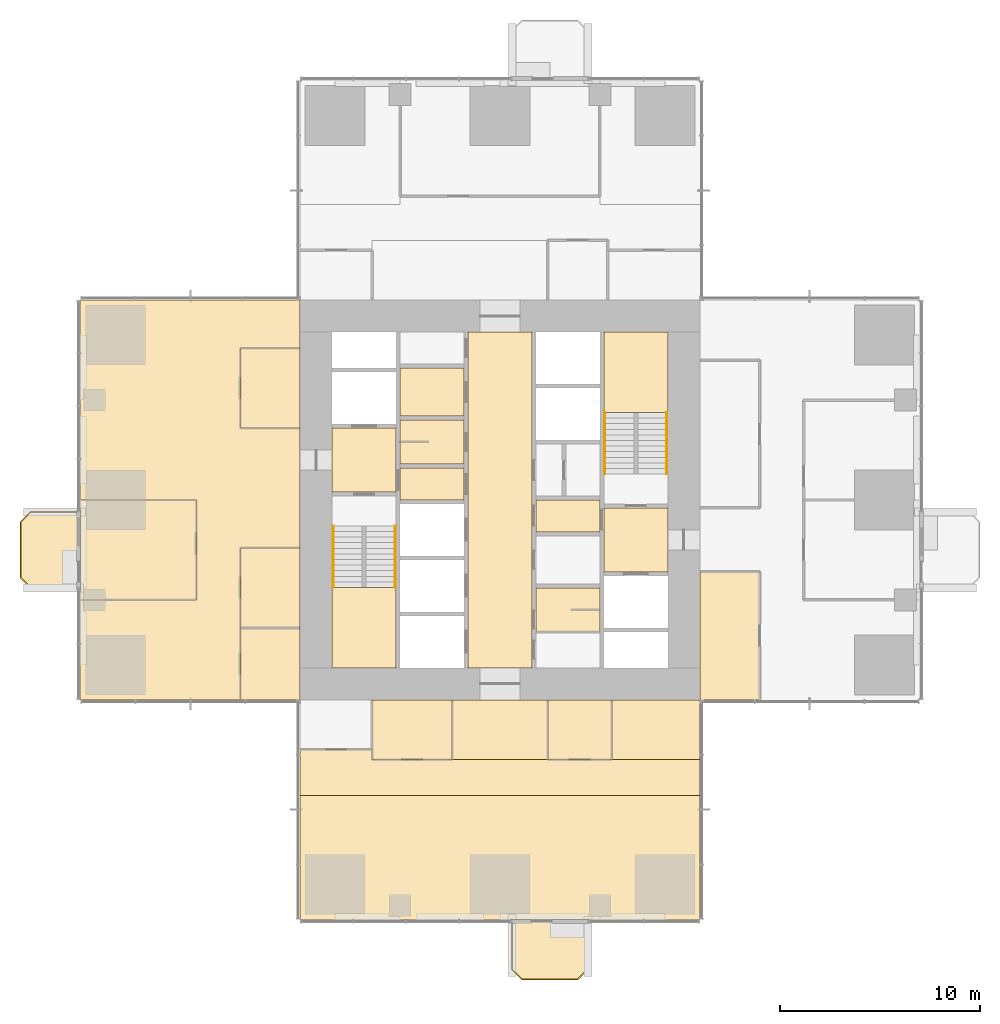
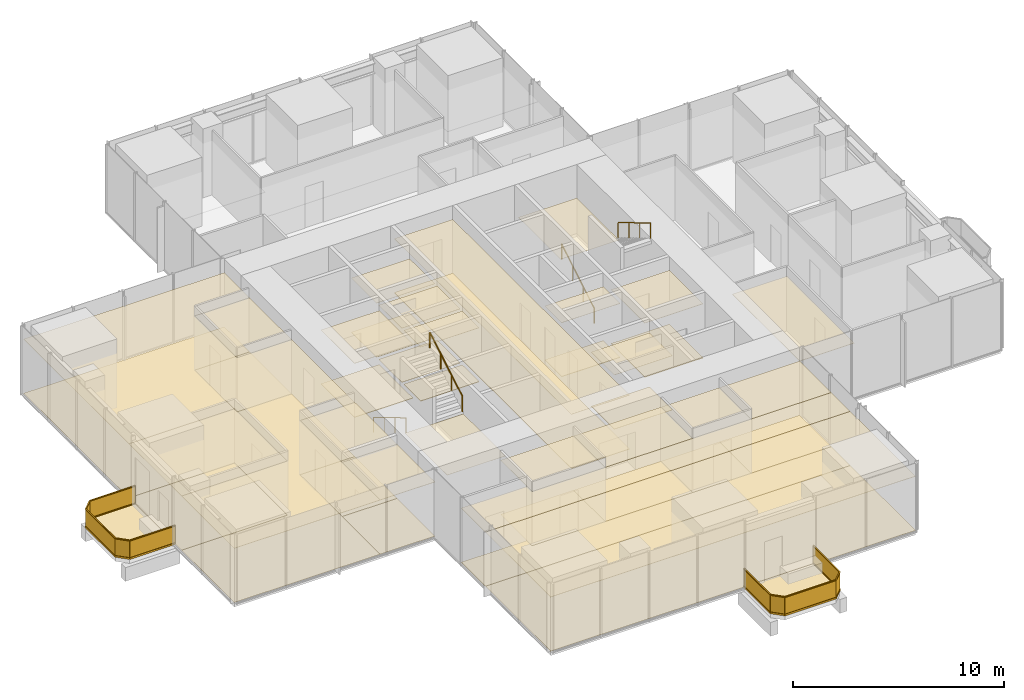
# One storey, part 11 of 13: 43 coverings, 6 railings.
"""IFC4 building model written with IfcOpenShell, lengths in metres."""

from ifc_helpers import new_model, si_unit, direction, frame, origin, origin_2d, place, context, subcontext, project, spatial, polyline, rectangle, circle, outline, extrude, material, layer, layer_set, type_object, element, save


model = new_model("IFC4")

# Units and contexts
model_context = context("Model", 3, precision=1e-05, world=origin(), true_north=direction((0.0, 1.0)))
body_context = subcontext(model_context, "Body", "Model", "MODEL_VIEW")
ifc_project = project(units=[si_unit("LENGTHUNIT", "METRE"), si_unit("AREAUNIT", "SQUARE_METRE"), si_unit("VOLUMEUNIT", "CUBIC_METRE"), si_unit("PLANEANGLEUNIT", "RADIAN"), si_unit("MASSUNIT", "GRAM", prefix="KILO")], contexts=[model_context])

# Site, building, storey
site_placement = place(None, origin())
site = spatial("IfcSite", under=ifc_project, at=site_placement, CompositionType="ELEMENT")
building_placement = place(site_placement, origin())
building = spatial("IfcBuilding", under=site, at=building_placement, Name="Svetlomir Tower", CompositionType="ELEMENT")
storey_placement = place(building_placement, frame((0.0, 0.0, 136.5)))
storey = spatial("IfcBuildingStorey", under=building, at=storey_placement, Name="L32", CompositionType="ELEMENT", Elevation=136.5)

# Railings
ifc_material_1 = material(Name="Bronze anodised aluminium and laminated glass", Category="aluminium")
railing_type_1 = type_object("IfcRailingType", Name="BALCONY GUARD GR1 1100", PredefinedType="GUARDRAIL", material=ifc_material_1)
railing_1_placement = place(storey_placement, frame((21.60009765625, 0.0, 0.0)))
element("IfcRailing", 1, at=railing_1_placement, inside=storey, type_object=railing_type_1, Name="Balcony guard S L32", PredefinedType="GUARDRAIL", context=body_context, shape_type="SweptSolid", body=[
    extrude(rectangle(XDim=0.06005859375, YDim=0.10009765625, at=origin_2d()), frame((0.0, 0.0, 0.050048828125), z_axis=(0.0, -1.0, 0.0), x_axis=(1.0, 0.0, 0.0)), (0.0, 0.0, 1.0), 2.5),
    extrude(rectangle(XDim=0.021484375, YDim=0.960205078125, at=origin_2d()), frame((0.0, 0.0, 0.580078125), z_axis=(0.0, -1.0, 0.0), x_axis=(1.0, 0.0, 0.0)), (0.0, 0.0, 1.0), 2.5),
    extrude(rectangle(XDim=0.06005859375, YDim=0.0400390625, at=origin_2d()), frame((0.0, 0.0, 1.080078125), z_axis=(0.0, -1.0, 0.0), x_axis=(1.0, 0.0, 0.0)), (0.0, 0.0, 1.0), 2.5),
    extrude(rectangle(XDim=0.06005859375, YDim=0.10009765625, at=origin_2d()), frame((0.0, -2.5, 0.050048828125), z_axis=(0.707106781187, -0.707106781187, 0.0), x_axis=(0.707106781187, 0.707106781187, 0.0)), (0.0, 0.0, 1.0), 0.70703125),
    extrude(rectangle(XDim=0.021484375, YDim=0.960205078125, at=origin_2d()), frame((0.0, -2.5, 0.580078125), z_axis=(0.707106781187, -0.707106781187, 0.0), x_axis=(0.707106781187, 0.707106781187, 0.0)), (0.0, 0.0, 1.0), 0.70703125),
    extrude(rectangle(XDim=0.06005859375, YDim=0.0400390625, at=origin_2d()), frame((0.0, -2.5, 1.080078125), z_axis=(0.707106781187, -0.707106781187, 0.0), x_axis=(0.707106781187, 0.707106781187, 0.0)), (0.0, 0.0, 1.0), 0.70703125),
    extrude(rectangle(XDim=0.06005859375, YDim=0.10009765625, at=origin_2d()), frame((0.5, -3.0, 0.050048828125), z_axis=(1.0, 0.0, 0.0), x_axis=(0.0, 1.0, 0.0)), (0.0, 0.0, 1.0), 2.7998046875),
    extrude(rectangle(XDim=0.021484375, YDim=0.960205078125, at=origin_2d()), frame((0.5, -3.0, 0.580078125), z_axis=(1.0, 0.0, 0.0), x_axis=(0.0, 1.0, 0.0)), (0.0, 0.0, 1.0), 2.7998046875),
    extrude(rectangle(XDim=0.06005859375, YDim=0.0400390625, at=origin_2d()), frame((0.5, -3.0, 1.080078125), z_axis=(1.0, 0.0, 0.0), x_axis=(0.0, 1.0, 0.0)), (0.0, 0.0, 1.0), 2.7998046875),
    extrude(rectangle(XDim=0.06005859375, YDim=0.10009765625, at=origin_2d()), frame((3.2998046875, -3.0, 0.050048828125), z_axis=(0.707106781187, 0.707106781187, 0.0), x_axis=(-0.707106781187, 0.707106781187, 0.0)), (0.0, 0.0, 1.0), 0.70703125),
    extrude(rectangle(XDim=0.021484375, YDim=0.960205078125, at=origin_2d()), frame((3.2998046875, -3.0, 0.580078125), z_axis=(0.707106781187, 0.707106781187, 0.0), x_axis=(-0.707106781187, 0.707106781187, 0.0)), (0.0, 0.0, 1.0), 0.70703125),
    extrude(rectangle(XDim=0.06005859375, YDim=0.0400390625, at=origin_2d()), frame((3.2998046875, -3.0, 1.080078125), z_axis=(0.707106781187, 0.707106781187, 0.0), x_axis=(-0.707106781187, 0.707106781187, 0.0)), (0.0, 0.0, 1.0), 0.70703125),
    extrude(rectangle(XDim=0.06005859375, YDim=0.10009765625, at=origin_2d()), frame((3.7998046875, -2.5, 0.050048828125), z_axis=(0.0, 1.0, 0.0), x_axis=(-1.0, 0.0, 0.0)), (0.0, 0.0, 1.0), 2.5),
    extrude(rectangle(XDim=0.021484375, YDim=0.960205078125, at=origin_2d()), frame((3.7998046875, -2.5, 0.580078125), z_axis=(0.0, 1.0, 0.0), x_axis=(-1.0, 0.0, 0.0)), (0.0, 0.0, 1.0), 2.5),
    extrude(rectangle(XDim=0.06005859375, YDim=0.0400390625, at=origin_2d()), frame((3.7998046875, -2.5, 1.080078125), z_axis=(0.0, 1.0, 0.0), x_axis=(-1.0, 0.0, 0.0)), (0.0, 0.0, 1.0), 2.5),
])
railing_2_placement = place(storey_placement, frame((0.0, 20.39990234375, 0.0)))
element("IfcRailing", 2, at=railing_2_placement, inside=storey, type_object=railing_type_1, Name="Balcony guard W L32", PredefinedType="GUARDRAIL", context=body_context, shape_type="SweptSolid", body=[
    extrude(rectangle(XDim=0.06005859375, YDim=0.10009765625, at=origin_2d()), frame((0.0, 0.0, 0.050048828125), z_axis=(-1.0, 0.0, 0.0), x_axis=(0.0, -1.0, 0.0)), (0.0, 0.0, 1.0), 2.5),
    extrude(rectangle(XDim=0.021484375, YDim=0.960205078125, at=origin_2d()), frame((0.0, 0.0, 0.580078125), z_axis=(-1.0, 0.0, 0.0), x_axis=(0.0, -1.0, 0.0)), (0.0, 0.0, 1.0), 2.5),
    extrude(rectangle(XDim=0.06005859375, YDim=0.0400390625, at=origin_2d()), frame((0.0, 0.0, 1.080078125), z_axis=(-1.0, 0.0, 0.0), x_axis=(0.0, -1.0, 0.0)), (0.0, 0.0, 1.0), 2.5),
    extrude(rectangle(XDim=0.06005859375, YDim=0.10009765625, at=origin_2d()), frame((-2.5, 0.0, 0.050048828125), z_axis=(-0.707106781187, -0.707106781187, 0.0), x_axis=(0.707106781187, -0.707106781187, 0.0)), (0.0, 0.0, 1.0), 0.70703125),
    extrude(rectangle(XDim=0.021484375, YDim=0.960205078125, at=origin_2d()), frame((-2.5, 0.0, 0.580078125), z_axis=(-0.707106781187, -0.707106781187, 0.0), x_axis=(0.707106781187, -0.707106781187, 0.0)), (0.0, 0.0, 1.0), 0.70703125),
    extrude(rectangle(XDim=0.06005859375, YDim=0.0400390625, at=origin_2d()), frame((-2.5, 0.0, 1.080078125), z_axis=(-0.707106781187, -0.707106781187, 0.0), x_axis=(0.707106781187, -0.707106781187, 0.0)), (0.0, 0.0, 1.0), 0.70703125),
    extrude(rectangle(XDim=0.06005859375, YDim=0.10009765625, at=origin_2d()), frame((-3.0, -0.5, 0.050048828125), z_axis=(0.0, -1.0, 0.0), x_axis=(1.0, 0.0, 0.0)), (0.0, 0.0, 1.0), 2.7998046875),
    extrude(rectangle(XDim=0.021484375, YDim=0.960205078125, at=origin_2d()), frame((-3.0, -0.5, 0.580078125), z_axis=(0.0, -1.0, 0.0), x_axis=(1.0, 0.0, 0.0)), (0.0, 0.0, 1.0), 2.7998046875),
    extrude(rectangle(XDim=0.06005859375, YDim=0.0400390625, at=origin_2d()), frame((-3.0, -0.5, 1.080078125), z_axis=(0.0, -1.0, 0.0), x_axis=(1.0, 0.0, 0.0)), (0.0, 0.0, 1.0), 2.7998046875),
    extrude(rectangle(XDim=0.06005859375, YDim=0.10009765625, at=origin_2d()), frame((-3.0, -3.2998046875, 0.050048828125), z_axis=(0.707106781187, -0.707106781187, 0.0), x_axis=(0.707106781187, 0.707106781187, 0.0)), (0.0, 0.0, 1.0), 0.70703125),
    extrude(rectangle(XDim=0.021484375, YDim=0.960205078125, at=origin_2d()), frame((-3.0, -3.2998046875, 0.580078125), z_axis=(0.707106781187, -0.707106781187, 0.0), x_axis=(0.707106781187, 0.707106781187, 0.0)), (0.0, 0.0, 1.0), 0.70703125),
    extrude(rectangle(XDim=0.06005859375, YDim=0.0400390625, at=origin_2d()), frame((-3.0, -3.2998046875, 1.080078125), z_axis=(0.707106781187, -0.707106781187, 0.0), x_axis=(0.707106781187, 0.707106781187, 0.0)), (0.0, 0.0, 1.0), 0.70703125),
    extrude(rectangle(XDim=0.06005859375, YDim=0.10009765625, at=origin_2d()), frame((-2.5, -3.7998046875, 0.050048828125), z_axis=(1.0, 0.0, 0.0), x_axis=(0.0, 1.0, 0.0)), (0.0, 0.0, 1.0), 2.5),
    extrude(rectangle(XDim=0.021484375, YDim=0.960205078125, at=origin_2d()), frame((-2.5, -3.7998046875, 0.580078125), z_axis=(1.0, 0.0, 0.0), x_axis=(0.0, 1.0, 0.0)), (0.0, 0.0, 1.0), 2.5),
    extrude(rectangle(XDim=0.06005859375, YDim=0.0400390625, at=origin_2d()), frame((-2.5, -3.7998046875, 1.080078125), z_axis=(1.0, 0.0, 0.0), x_axis=(0.0, 1.0, 0.0)), (0.0, 0.0, 1.0), 2.5),
])

# Coverings
ifc_material_2 = material(Name="Granite paving slabs on pedestals", Category="masonry")
ifc_layer_1 = layer(ifc_material_2, 0.0400390625)
ifc_layer_set_1 = layer_set([ifc_layer_1], Name="Granite paving slabs on pedestals")
covering_type_1 = type_object("IfcCoveringType", Name="BALCONY PAVING 40", PredefinedType="USERDEFINED", material=ifc_layer_set_1)
covering_1_placement = place(storey_placement, origin())
element("IfcCovering", 3, at=covering_1_placement, inside=storey, type_object=covering_type_1, Name="Balcony paving S L32", ObjectType="BALCONY PAVING", PredefinedType="USERDEFINED", context=body_context, shape_type="SweptSolid", body=[
    extrude(outline(polyline([(21.60009765625, -2.5), (22.10009765625, -3.0), (24.89990234375, -3.0), (25.39990234375, -2.5), (25.39990234375, 0.0), (21.60009765625, 0.0), (21.60009765625, -2.5)])), origin(), (0.0, 0.0, 1.0), 0.0400390625),
])
covering_2_placement = place(storey_placement, origin())
element("IfcCovering", 4, at=covering_2_placement, inside=storey, type_object=covering_type_1, Name="Balcony paving W L32", ObjectType="BALCONY PAVING", PredefinedType="USERDEFINED", context=body_context, shape_type="SweptSolid", body=[
    extrude(outline(polyline([(-2.5, 16.60009765625), (0.0, 16.60009765625), (0.0, 20.39990234375), (-2.5, 20.39990234375), (-3.0, 19.89990234375), (-3.0, 17.10009765625), (-2.5, 16.60009765625)])), origin(), (0.0, 0.0, 1.0), 0.0400390625),
])
ifc_material_3 = material(Name="Carpet tile", Category="textile")
ifc_layer_2 = layer(ifc_material_3, 0.010009765625)
ifc_layer_set_2 = layer_set([ifc_layer_2], Name="Carpet tile")
covering_type_2 = type_object("IfcCoveringType", Name="CARPET TILE FLOOR 10", PredefinedType="FLOORING", material=ifc_layer_set_2)
covering_3_placement = place(storey_placement, origin())
element("IfcCovering", 5, at=covering_3_placement, inside=storey, type_object=covering_type_2, Name="Floor finish L32-17", PredefinedType="FLOORING", context=body_context, shape_type="SweptSolid", body=[
    extrude(outline(polyline([(14.60009765625, 8.0), (18.60009765625, 8.0), (18.60009765625, 11.0), (14.60009765625, 11.0), (14.60009765625, 8.0)])), origin(), (0.0, 0.0, 1.0), 0.010009765625),
])
covering_4_placement = place(storey_placement, origin())
element("IfcCovering", 6, at=covering_4_placement, inside=storey, type_object=covering_type_2, Name="Floor finish L32-18", PredefinedType="FLOORING", context=body_context, shape_type="SweptSolid", body=[
    extrude(outline(polyline([(23.39990234375, 8.0), (26.60009765625, 8.0), (26.60009765625, 11.0), (23.39990234375, 11.0), (23.39990234375, 8.0)])), origin(), (0.0, 0.0, 1.0), 0.010009765625),
])
covering_5_placement = place(storey_placement, origin())
element("IfcCovering", 7, at=covering_5_placement, inside=storey, type_object=covering_type_2, Name="Floor finish L32-27", PredefinedType="FLOORING", context=body_context, shape_type="SweptSolid", body=[
    extrude(outline(polyline([(8.0, 11.0), (11.0, 11.0), (11.0, 14.60009765625), (8.0, 14.60009765625), (8.0, 11.0)])), origin(), (0.0, 0.0, 1.0), 0.010009765625),
])
covering_6_placement = place(storey_placement, origin())
element("IfcCovering", 8, at=covering_6_placement, inside=storey, type_object=covering_type_2, Name="Floor finish L32-28", PredefinedType="FLOORING", context=body_context, shape_type="SweptSolid", body=[
    extrude(outline(polyline([(8.0, 14.60009765625), (11.0, 14.60009765625), (11.0, 18.60009765625), (8.0, 18.60009765625), (8.0, 14.60009765625)])), origin(), (0.0, 0.0, 1.0), 0.010009765625),
])
covering_7_placement = place(storey_placement, origin())
element("IfcCovering", 9, at=covering_7_placement, inside=storey, type_object=covering_type_2, Name="Floor finish L32-29", PredefinedType="FLOORING", context=body_context, shape_type="SweptSolid", body=[
    extrude(outline(polyline([(8.0, 24.60009765625), (11.0, 24.60009765625), (11.0, 28.60009765625), (8.0, 28.60009765625), (8.0, 24.60009765625)])), origin(), (0.0, 0.0, 1.0), 0.010009765625),
])
covering_8_placement = place(storey_placement, origin())
element("IfcCovering", 10, at=covering_8_placement, inside=storey, type_object=covering_type_2, Name="Floor finish L32-30", PredefinedType="FLOORING", context=body_context, shape_type="SweptSolid", body=[
    extrude(outline(polyline([(0.0, 16.0), (5.800048828125, 16.0), (5.800048828125, 21.0), (0.0, 21.0), (0.0, 16.0)])), origin(), (0.0, 0.0, 1.0), 0.010009765625),
])
covering_9_placement = place(storey_placement, origin())
element("IfcCovering", 11, at=covering_9_placement, inside=storey, type_object=covering_type_2, Name="Floor finish L32-31", PredefinedType="FLOORING", context=body_context, shape_type="SweptSolid", body=[
    extrude(outline(polyline([(31.0, 8.0), (31.0, 6.199951171875), (11.0, 6.199951171875), (11.0, 8.5), (14.60009765625, 8.5), (14.60009765625, 8.0), (31.0, 8.0)])), origin(), (0.0, 0.0, 1.0), 0.010009765625),
])
covering_10_placement = place(storey_placement, origin())
element("IfcCovering", 12, at=covering_10_placement, inside=storey, type_object=covering_type_2, Name="Floor finish L32-33", PredefinedType="FLOORING", context=body_context, shape_type="SweptSolid", body=[
    extrude(outline(polyline([(11.0, 6.199951171875), (31.0, 6.199951171875), (31.0, 0.0), (11.0, 0.0), (11.0, 6.199951171875)])), origin(), (0.0, 0.0, 1.0), 0.010009765625),
])
covering_11_placement = place(storey_placement, origin())
element("IfcCovering", 13, at=covering_11_placement, inside=storey, type_object=covering_type_2, Name="Floor finish L32-34", PredefinedType="FLOORING", context=body_context, shape_type="SweptSolid", body=[
    extrude(outline(polyline([(23.39990234375, 11.0), (23.39990234375, 8.0), (18.60009765625, 8.0), (18.60009765625, 11.0), (23.39990234375, 11.0)])), origin(), (0.0, 0.0, 1.0), 0.010009765625),
])
covering_12_placement = place(storey_placement, origin())
element("IfcCovering", 14, at=covering_12_placement, inside=storey, type_object=covering_type_2, Name="Floor finish L32-35", PredefinedType="FLOORING", context=body_context, shape_type="SweptSolid", body=[
    extrude(outline(polyline([(31.0, 11.0), (31.0, 8.0), (26.60009765625, 8.0), (26.60009765625, 11.0), (31.0, 11.0)])), origin(), (0.0, 0.0, 1.0), 0.010009765625),
])
covering_13_placement = place(storey_placement, origin())
element("IfcCovering", 15, at=covering_13_placement, inside=storey, type_object=covering_type_2, Name="Floor finish L32-40", PredefinedType="FLOORING", context=body_context, shape_type="SweptSolid", body=[
    extrude(outline(polyline([(11.0, 28.60009765625), (8.0, 28.60009765625), (8.0, 24.60009765625), (11.0, 24.60009765625), (11.0, 18.60009765625), (8.0, 18.60009765625), (8.0, 11.0), (0.0, 11.0), (0.0, 16.0), (5.800048828125, 16.0), (5.800048828125, 21.0), (0.0, 21.0), (0.0, 31.0), (11.0, 31.0), (11.0, 28.60009765625)])), origin(), (0.0, 0.0, 1.0), 0.010009765625),
])
ifc_material_4 = material(Name="Ceramic floor tile", Category="ceramic")
ifc_layer_3 = layer(ifc_material_4, 0.014892578125)
ifc_layer_set_3 = layer_set([ifc_layer_3], Name="Ceramic floor tile")
covering_type_3 = type_object("IfcCoveringType", Name="CERAMIC TILE FLOOR 15", PredefinedType="FLOORING", material=ifc_layer_set_3)
covering_14_placement = place(storey_placement, origin())
element("IfcCovering", 16, at=covering_14_placement, inside=storey, type_object=covering_type_3, Name="Floor finish L32-04", PredefinedType="FLOORING", context=body_context, shape_type="SweptSolid", body=[
    extrude(outline(polyline([(16.0, 22.800048828125), (19.199951171875, 22.800048828125), (19.199951171875, 25.0), (16.0, 25.0), (16.0, 22.800048828125)])), origin(), (0.0, 0.0, 1.0), 0.014892578125),
])
covering_15_placement = place(storey_placement, origin())
element("IfcCovering", 17, at=covering_15_placement, inside=storey, type_object=covering_type_3, Name="Floor finish L32-05", PredefinedType="FLOORING", context=body_context, shape_type="SweptSolid", body=[
    extrude(outline(polyline([(16.0, 25.199951171875), (19.199951171875, 25.199951171875), (19.199951171875, 27.60009765625), (16.0, 27.60009765625), (16.0, 25.199951171875)])), origin(), (0.0, 0.0, 1.0), 0.014892578125),
])
covering_16_placement = place(storey_placement, origin())
element("IfcCovering", 18, at=covering_16_placement, inside=storey, type_object=covering_type_3, Name="Floor finish L32-09", PredefinedType="FLOORING", context=body_context, shape_type="SweptSolid", body=[
    extrude(outline(polyline([(22.800048828125, 14.39990234375), (26.0, 14.39990234375), (26.0, 16.60009765625), (22.800048828125, 16.60009765625), (22.800048828125, 14.39990234375)])), origin(), (0.0, 0.0, 1.0), 0.014892578125),
])

# Railings
ifc_material_5 = material(Name="Stainless steel", Category="steel")
railing_type_2 = type_object("IfcRailingType", Name="HANDRAIL HR1 900", PredefinedType="HANDRAIL", material=ifc_material_5)
railing_3_placement = place(storey_placement, frame((12.64990234375, 19.699951171875, 0.166748046875)))
element("IfcRailing", 19, at=railing_3_placement, inside=storey, type_object=railing_type_2, Name="Handrail S1 flight 1 L32", PredefinedType="HANDRAIL", context=body_context, shape_type="SweptSolid", body=[
    extrude(circle(Radius=0.02392578125, at=origin_2d()), frame((0.0, 0.0, 0.8759765625), z_axis=(0.0, -0.859290745958, 0.51148745235), x_axis=(1.0, 0.0, 0.0)), (0.0, 0.0, 1.0), 3.584228515625),
    extrude(circle(Radius=0.02099609375, at=origin_2d()), origin(), (0.0, 0.0, 1.0), 0.851806640625),
    extrude(circle(Radius=0.02099609375, at=origin_2d()), frame((0.0, -1.026611328125, 0.611083984375)), (0.0, 0.0, 1.0), 0.851806640625),
    extrude(circle(Radius=0.02099609375, at=origin_2d()), frame((0.0, -2.05322265625, 1.22216796875)), (0.0, 0.0, 1.0), 0.851806640625),
    extrude(circle(Radius=0.02099609375, at=origin_2d()), frame((0.0, -3.079833984375, 1.833251953125)), (0.0, 0.0, 1.0), 0.851806640625),
])
for number, where, name in (
    (20, (15.75, 16.6201171875, 2.166748046875), "Handrail S1 flight 2 L32"),
    (21, (26.25, 22.300048828125, 0.166748046875), "Handrail S2 flight 1 L32"),
):
    element("IfcRailing", number, at=place(storey_placement, frame(where)), inside=storey, type_object=railing_type_2, Name=name, PredefinedType="HANDRAIL", context=body_context, shape_type="SweptSolid", body=[
        extrude(circle(Radius=0.02392578125, at=origin_2d()), frame((0.0, 0.0, 0.8759765625), z_axis=(0.0, 0.859290745958, 0.51148745235), x_axis=(-1.0, 0.0, 0.0)), (0.0, 0.0, 1.0), 3.584228515625),
        extrude(circle(Radius=0.02099609375, at=origin_2d()), origin(), (0.0, 0.0, 1.0), 0.851806640625),
        extrude(circle(Radius=0.02099609375, at=origin_2d()), frame((0.0, 1.026611328125, 0.611083984375)), (0.0, 0.0, 1.0), 0.851806640625),
        extrude(circle(Radius=0.02099609375, at=origin_2d()), frame((0.0, 2.05322265625, 1.22216796875)), (0.0, 0.0, 1.0), 0.851806640625),
        extrude(circle(Radius=0.02099609375, at=origin_2d()), frame((0.0, 3.079833984375, 1.833251953125)), (0.0, 0.0, 1.0), 0.851806640625),
    ])
railing_4_placement = place(storey_placement, frame((29.35009765625, 25.3798828125, 2.166748046875)))
element("IfcRailing", 22, at=railing_4_placement, inside=storey, type_object=railing_type_2, Name="Handrail S2 flight 2 L32", PredefinedType="HANDRAIL", context=body_context, shape_type="SweptSolid", body=[
    extrude(circle(Radius=0.02392578125, at=origin_2d()), frame((0.0, 0.0, 0.8759765625), z_axis=(0.0, -0.859290745958, 0.51148745235), x_axis=(1.0, 0.0, 0.0)), (0.0, 0.0, 1.0), 3.584228515625),
    extrude(circle(Radius=0.02099609375, at=origin_2d()), origin(), (0.0, 0.0, 1.0), 0.851806640625),
    extrude(circle(Radius=0.02099609375, at=origin_2d()), frame((0.0, -1.026611328125, 0.611083984375)), (0.0, 0.0, 1.0), 0.851806640625),
    extrude(circle(Radius=0.02099609375, at=origin_2d()), frame((0.0, -2.05322265625, 1.22216796875)), (0.0, 0.0, 1.0), 0.851806640625),
    extrude(circle(Radius=0.02099609375, at=origin_2d()), frame((0.0, -3.079833984375, 1.833251953125)), (0.0, 0.0, 1.0), 0.851806640625),
])

# Coverings
ifc_material_6 = material(Name="Moisture resistant plasterboard ceiling", Category="gypsum")
ifc_layer_4 = layer(ifc_material_6, 0.012451171875)
ifc_layer_set_4 = layer_set([ifc_layer_4], Name="Moisture resistant plasterboard ceiling")
covering_type_4 = type_object("IfcCoveringType", Name="MOISTURE RESISTANT CEILING 12.5", PredefinedType="CEILING", material=ifc_layer_set_4)
covering_17_placement = place(storey_placement, frame((0.0, 0.0, 3.137451171875)))
element("IfcCovering", 23, at=covering_17_placement, inside=storey, type_object=covering_type_4, Name="Ceiling L32-04", PredefinedType="CEILING", context=body_context, shape_type="SweptSolid", body=[
    extrude(outline(polyline([(16.0, 22.800048828125), (19.199951171875, 22.800048828125), (19.199951171875, 25.0), (16.0, 25.0), (16.0, 22.800048828125)])), origin(), (0.0, 0.0, 1.0), 0.012451171875),
])
covering_18_placement = place(storey_placement, frame((0.0, 0.0, 3.137451171875)))
element("IfcCovering", 24, at=covering_18_placement, inside=storey, type_object=covering_type_4, Name="Ceiling L32-05", PredefinedType="CEILING", context=body_context, shape_type="SweptSolid", body=[
    extrude(outline(polyline([(16.0, 25.199951171875), (19.199951171875, 25.199951171875), (19.199951171875, 27.60009765625), (16.0, 27.60009765625), (16.0, 25.199951171875)])), origin(), (0.0, 0.0, 1.0), 0.012451171875),
])
covering_19_placement = place(storey_placement, frame((0.0, 0.0, 3.137451171875)))
element("IfcCovering", 25, at=covering_19_placement, inside=storey, type_object=covering_type_4, Name="Ceiling L32-09", PredefinedType="CEILING", context=body_context, shape_type="SweptSolid", body=[
    extrude(outline(polyline([(22.800048828125, 14.39990234375), (26.0, 14.39990234375), (26.0, 16.60009765625), (22.800048828125, 16.60009765625), (22.800048828125, 14.39990234375)])), origin(), (0.0, 0.0, 1.0), 0.012451171875),
])
ifc_material_7 = material(Name="Gypsum plasterboard ceiling", Category="gypsum")
ifc_layer_5 = layer(ifc_material_7, 0.014892578125)
ifc_layer_set_5 = layer_set([ifc_layer_5], Name="Gypsum plasterboard ceiling")
covering_type_5 = type_object("IfcCoveringType", Name="PLASTERBOARD CEILING 15", PredefinedType="CEILING", material=ifc_layer_set_5)
covering_20_placement = place(storey_placement, frame((0.0, 0.0, 3.135009765625)))
element("IfcCovering", 26, at=covering_20_placement, inside=storey, type_object=covering_type_5, Name="Ceiling L32-02", PredefinedType="CEILING", context=body_context, shape_type="SweptSolid", body=[
    extrude(outline(polyline([(12.60009765625, 21.39990234375), (15.800048828125, 21.39990234375), (15.800048828125, 24.60009765625), (12.60009765625, 24.60009765625), (12.60009765625, 21.39990234375)])), origin(), (0.0, 0.0, 1.0), 0.014892578125),
])
covering_21_placement = place(storey_placement, frame((0.0, 0.0, 3.135009765625)))
element("IfcCovering", 27, at=covering_21_placement, inside=storey, type_object=covering_type_5, Name="Ceiling L32-03", PredefinedType="CEILING", context=body_context, shape_type="SweptSolid", body=[
    extrude(outline(polyline([(16.0, 21.0), (19.199951171875, 21.0), (19.199951171875, 22.60009765625), (16.0, 22.60009765625), (16.0, 21.0)])), origin(), (0.0, 0.0, 1.0), 0.014892578125),
])
covering_22_placement = place(storey_placement, frame((0.0, 0.0, 3.135009765625)))
element("IfcCovering", 28, at=covering_22_placement, inside=storey, type_object=covering_type_5, Name="Ceiling L32-07", PredefinedType="CEILING", context=body_context, shape_type="SweptSolid", body=[
    extrude(outline(polyline([(19.39990234375, 12.60009765625), (22.60009765625, 12.60009765625), (22.60009765625, 29.39990234375), (19.39990234375, 29.39990234375), (19.39990234375, 12.60009765625)])), origin(), (0.0, 0.0, 1.0), 0.014892578125),
])
covering_23_placement = place(storey_placement, frame((0.0, 0.0, 3.135009765625)))
element("IfcCovering", 29, at=covering_23_placement, inside=storey, type_object=covering_type_5, Name="Ceiling L32-11", PredefinedType="CEILING", context=body_context, shape_type="SweptSolid", body=[
    extrude(outline(polyline([(22.800048828125, 19.39990234375), (26.0, 19.39990234375), (26.0, 21.0), (22.800048828125, 21.0), (22.800048828125, 19.39990234375)])), origin(), (0.0, 0.0, 1.0), 0.014892578125),
])
covering_24_placement = place(storey_placement, frame((0.0, 0.0, 3.135009765625)))
element("IfcCovering", 30, at=covering_24_placement, inside=storey, type_object=covering_type_5, Name="Ceiling L32-12", PredefinedType="CEILING", context=body_context, shape_type="SweptSolid", body=[
    extrude(outline(polyline([(26.199951171875, 17.39990234375), (29.39990234375, 17.39990234375), (29.39990234375, 20.60009765625), (26.199951171875, 20.60009765625), (26.199951171875, 17.39990234375)])), origin(), (0.0, 0.0, 1.0), 0.014892578125),
])
ifc_material_8 = material(Name="Studded rubber floor finish", Category="rubber")
ifc_layer_6 = layer(ifc_material_8, 0.006103515625)
ifc_layer_set_6 = layer_set([ifc_layer_6], Name="Studded rubber floor finish")
covering_type_6 = type_object("IfcCoveringType", Name="RUBBER LANDING FINISH 6", PredefinedType="FLOORING", material=ifc_layer_set_6)
covering_25_placement = place(storey_placement, frame((0.0, 0.0, 2.0)))
element("IfcCovering", 31, at=covering_25_placement, inside=storey, type_object=covering_type_6, Name="Stair S1 landing finish L32", PredefinedType="FLOORING", context=body_context, shape_type="SweptSolid", body=[
    extrude(outline(polyline([(12.60009765625, 12.60009765625), (15.800048828125, 12.60009765625), (15.800048828125, 16.6201171875), (12.60009765625, 16.6201171875), (12.60009765625, 12.60009765625)])), origin(), (0.0, 0.0, 1.0), 0.006103515625),
])
covering_26_placement = place(storey_placement, frame((0.0, 0.0, 2.0)))
element("IfcCovering", 32, at=covering_26_placement, inside=storey, type_object=covering_type_6, Name="Stair S2 landing finish L32", PredefinedType="FLOORING", context=body_context, shape_type="SweptSolid", body=[
    extrude(outline(polyline([(26.199951171875, 25.3798828125), (29.39990234375, 25.3798828125), (29.39990234375, 29.39990234375), (26.199951171875, 29.39990234375), (26.199951171875, 25.3798828125)])), origin(), (0.0, 0.0, 1.0), 0.006103515625),
])
ifc_material_9 = material(Name="Mineral fibre ceiling tile", Category="mineral")
ifc_layer_7 = layer(ifc_material_9, 0.02001953125)
ifc_layer_set_7 = layer_set([ifc_layer_7], Name="Mineral fibre ceiling tile")
covering_type_7 = type_object("IfcCoveringType", Name="SUSPENDED CEILING 20", PredefinedType="CEILING", material=ifc_layer_set_7)
covering_27_placement = place(storey_placement, frame((0.0, 0.0, 3.1298828125)))
element("IfcCovering", 33, at=covering_27_placement, inside=storey, type_object=covering_type_7, Name="Ceiling L32-17", PredefinedType="CEILING", context=body_context, shape_type="SweptSolid", body=[
    extrude(outline(polyline([(14.60009765625, 8.0), (18.60009765625, 8.0), (18.60009765625, 11.0), (14.60009765625, 11.0), (14.60009765625, 8.0)])), origin(), (0.0, 0.0, 1.0), 0.02001953125),
])
covering_28_placement = place(storey_placement, frame((0.0, 0.0, 3.1298828125)))
element("IfcCovering", 34, at=covering_28_placement, inside=storey, type_object=covering_type_7, Name="Ceiling L32-18", PredefinedType="CEILING", context=body_context, shape_type="SweptSolid", body=[
    extrude(outline(polyline([(23.39990234375, 8.0), (26.60009765625, 8.0), (26.60009765625, 11.0), (23.39990234375, 11.0), (23.39990234375, 8.0)])), origin(), (0.0, 0.0, 1.0), 0.02001953125),
])
covering_29_placement = place(storey_placement, frame((0.0, 0.0, 3.1298828125)))
element("IfcCovering", 35, at=covering_29_placement, inside=storey, type_object=covering_type_7, Name="Ceiling L32-19", PredefinedType="CEILING", context=body_context, shape_type="SweptSolid", body=[
    extrude(outline(polyline([(31.0, 11.0), (34.0, 11.0), (34.0, 17.39990234375), (31.0, 17.39990234375), (31.0, 11.0)])), origin(), (0.0, 0.0, 1.0), 0.02001953125),
])
covering_30_placement = place(storey_placement, frame((0.0, 0.0, 3.1298828125)))
element("IfcCovering", 36, at=covering_30_placement, inside=storey, type_object=covering_type_7, Name="Ceiling L32-27", PredefinedType="CEILING", context=body_context, shape_type="SweptSolid", body=[
    extrude(outline(polyline([(8.0, 11.0), (11.0, 11.0), (11.0, 14.60009765625), (8.0, 14.60009765625), (8.0, 11.0)])), origin(), (0.0, 0.0, 1.0), 0.02001953125),
])
covering_31_placement = place(storey_placement, frame((0.0, 0.0, 3.1298828125)))
element("IfcCovering", 37, at=covering_31_placement, inside=storey, type_object=covering_type_7, Name="Ceiling L32-28", PredefinedType="CEILING", context=body_context, shape_type="SweptSolid", body=[
    extrude(outline(polyline([(8.0, 14.60009765625), (11.0, 14.60009765625), (11.0, 18.60009765625), (8.0, 18.60009765625), (8.0, 14.60009765625)])), origin(), (0.0, 0.0, 1.0), 0.02001953125),
])
covering_32_placement = place(storey_placement, frame((0.0, 0.0, 3.1298828125)))
element("IfcCovering", 38, at=covering_32_placement, inside=storey, type_object=covering_type_7, Name="Ceiling L32-29", PredefinedType="CEILING", context=body_context, shape_type="SweptSolid", body=[
    extrude(outline(polyline([(8.0, 24.60009765625), (11.0, 24.60009765625), (11.0, 28.60009765625), (8.0, 28.60009765625), (8.0, 24.60009765625)])), origin(), (0.0, 0.0, 1.0), 0.02001953125),
])
covering_33_placement = place(storey_placement, frame((0.0, 0.0, 3.1298828125)))
element("IfcCovering", 39, at=covering_33_placement, inside=storey, type_object=covering_type_7, Name="Ceiling L32-30", PredefinedType="CEILING", context=body_context, shape_type="SweptSolid", body=[
    extrude(outline(polyline([(0.0, 16.0), (5.800048828125, 16.0), (5.800048828125, 21.0), (0.0, 21.0), (0.0, 16.0)])), origin(), (0.0, 0.0, 1.0), 0.02001953125),
])
covering_34_placement = place(storey_placement, frame((0.0, 0.0, 3.1298828125)))
element("IfcCovering", 40, at=covering_34_placement, inside=storey, type_object=covering_type_7, Name="Ceiling L32-31", PredefinedType="CEILING", context=body_context, shape_type="SweptSolid", body=[
    extrude(outline(polyline([(31.0, 8.0), (31.0, 6.199951171875), (11.0, 6.199951171875), (11.0, 8.5), (14.60009765625, 8.5), (14.60009765625, 8.0), (31.0, 8.0)])), origin(), (0.0, 0.0, 1.0), 0.02001953125),
])
covering_35_placement = place(storey_placement, frame((0.0, 0.0, 3.1298828125)))
element("IfcCovering", 41, at=covering_35_placement, inside=storey, type_object=covering_type_7, Name="Ceiling L32-33", PredefinedType="CEILING", context=body_context, shape_type="SweptSolid", body=[
    extrude(outline(polyline([(11.0, 6.199951171875), (31.0, 6.199951171875), (31.0, 0.0), (11.0, 0.0), (11.0, 6.199951171875)])), origin(), (0.0, 0.0, 1.0), 0.02001953125),
])
covering_36_placement = place(storey_placement, frame((0.0, 0.0, 3.1298828125)))
element("IfcCovering", 42, at=covering_36_placement, inside=storey, type_object=covering_type_7, Name="Ceiling L32-34", PredefinedType="CEILING", context=body_context, shape_type="SweptSolid", body=[
    extrude(outline(polyline([(23.39990234375, 11.0), (23.39990234375, 8.0), (18.60009765625, 8.0), (18.60009765625, 11.0), (23.39990234375, 11.0)])), origin(), (0.0, 0.0, 1.0), 0.02001953125),
])
covering_37_placement = place(storey_placement, frame((0.0, 0.0, 3.1298828125)))
element("IfcCovering", 43, at=covering_37_placement, inside=storey, type_object=covering_type_7, Name="Ceiling L32-35", PredefinedType="CEILING", context=body_context, shape_type="SweptSolid", body=[
    extrude(outline(polyline([(31.0, 11.0), (31.0, 8.0), (26.60009765625, 8.0), (26.60009765625, 11.0), (31.0, 11.0)])), origin(), (0.0, 0.0, 1.0), 0.02001953125),
])
covering_38_placement = place(storey_placement, frame((0.0, 0.0, 3.1298828125)))
element("IfcCovering", 44, at=covering_38_placement, inside=storey, type_object=covering_type_7, Name="Ceiling L32-40", PredefinedType="CEILING", context=body_context, shape_type="SweptSolid", body=[
    extrude(outline(polyline([(11.0, 28.60009765625), (8.0, 28.60009765625), (8.0, 24.60009765625), (11.0, 24.60009765625), (11.0, 18.60009765625), (8.0, 18.60009765625), (8.0, 11.0), (0.0, 11.0), (0.0, 16.0), (5.800048828125, 16.0), (5.800048828125, 21.0), (0.0, 21.0), (0.0, 31.0), (11.0, 31.0), (11.0, 28.60009765625)])), origin(), (0.0, 0.0, 1.0), 0.02001953125),
])
ifc_material_10 = material(Name="Bronze-aggregate terrazzo", Category="stone")
ifc_layer_8 = layer(ifc_material_10, 0.030029296875)
ifc_layer_set_8 = layer_set([ifc_layer_8], Name="Bronze-aggregate terrazzo")
covering_type_8 = type_object("IfcCoveringType", Name="TERRAZZO FLOOR 30", PredefinedType="FLOORING", material=ifc_layer_set_8)
covering_39_placement = place(storey_placement, origin())
element("IfcCovering", 45, at=covering_39_placement, inside=storey, type_object=covering_type_8, Name="Floor finish L32-02", PredefinedType="FLOORING", context=body_context, shape_type="SweptSolid", body=[
    extrude(outline(polyline([(12.60009765625, 21.39990234375), (15.800048828125, 21.39990234375), (15.800048828125, 24.60009765625), (12.60009765625, 24.60009765625), (12.60009765625, 21.39990234375)])), origin(), (0.0, 0.0, 1.0), 0.030029296875),
])
covering_40_placement = place(storey_placement, origin())
element("IfcCovering", 46, at=covering_40_placement, inside=storey, type_object=covering_type_8, Name="Floor finish L32-03", PredefinedType="FLOORING", context=body_context, shape_type="SweptSolid", body=[
    extrude(outline(polyline([(16.0, 21.0), (19.199951171875, 21.0), (19.199951171875, 22.60009765625), (16.0, 22.60009765625), (16.0, 21.0)])), origin(), (0.0, 0.0, 1.0), 0.030029296875),
])
covering_41_placement = place(storey_placement, origin())
element("IfcCovering", 47, at=covering_41_placement, inside=storey, type_object=covering_type_8, Name="Floor finish L32-07", PredefinedType="FLOORING", context=body_context, shape_type="SweptSolid", body=[
    extrude(outline(polyline([(19.39990234375, 12.60009765625), (22.60009765625, 12.60009765625), (22.60009765625, 29.39990234375), (19.39990234375, 29.39990234375), (19.39990234375, 12.60009765625)])), origin(), (0.0, 0.0, 1.0), 0.030029296875),
])
covering_42_placement = place(storey_placement, origin())
element("IfcCovering", 48, at=covering_42_placement, inside=storey, type_object=covering_type_8, Name="Floor finish L32-11", PredefinedType="FLOORING", context=body_context, shape_type="SweptSolid", body=[
    extrude(outline(polyline([(22.800048828125, 19.39990234375), (26.0, 19.39990234375), (26.0, 21.0), (22.800048828125, 21.0), (22.800048828125, 19.39990234375)])), origin(), (0.0, 0.0, 1.0), 0.030029296875),
])
covering_43_placement = place(storey_placement, origin())
element("IfcCovering", 49, at=covering_43_placement, inside=storey, type_object=covering_type_8, Name="Floor finish L32-12", PredefinedType="FLOORING", context=body_context, shape_type="SweptSolid", body=[
    extrude(outline(polyline([(26.199951171875, 17.39990234375), (29.39990234375, 17.39990234375), (29.39990234375, 20.60009765625), (26.199951171875, 20.60009765625), (26.199951171875, 17.39990234375)])), origin(), (0.0, 0.0, 1.0), 0.030029296875),
])

save(model, "model.ifc")
